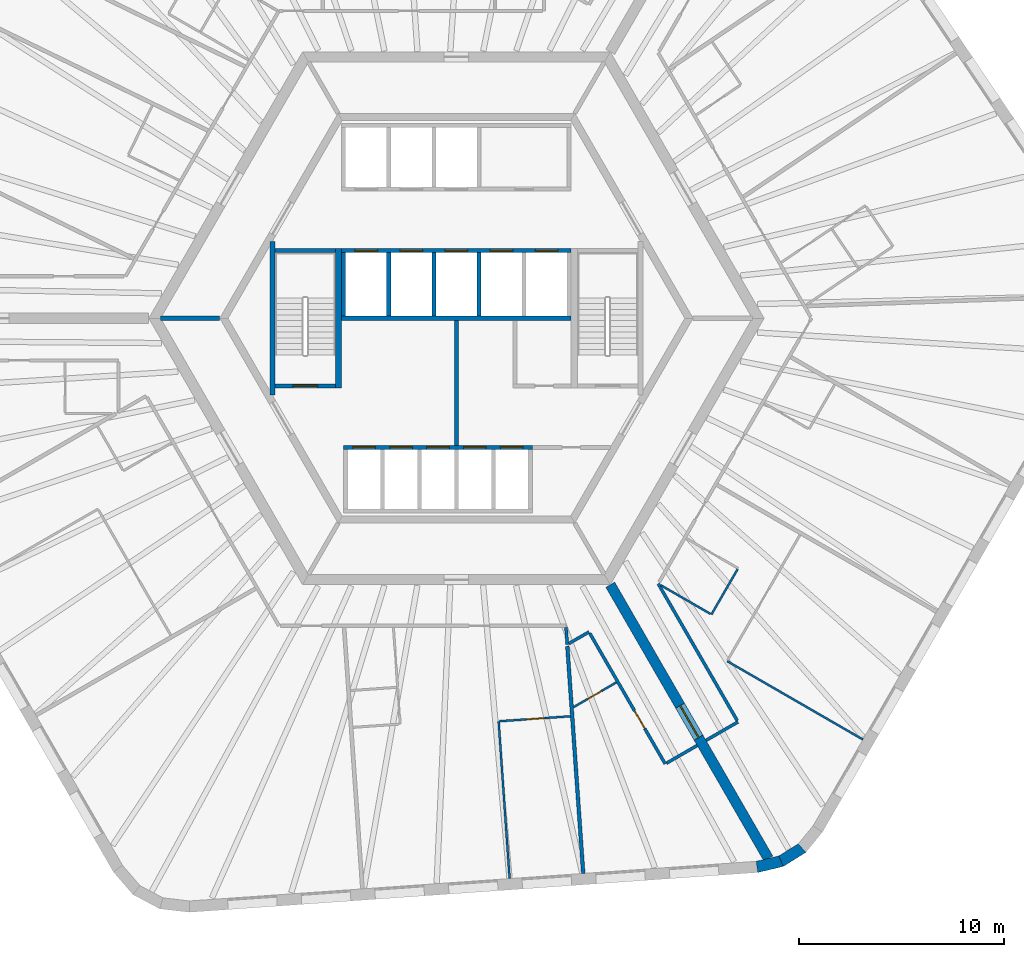
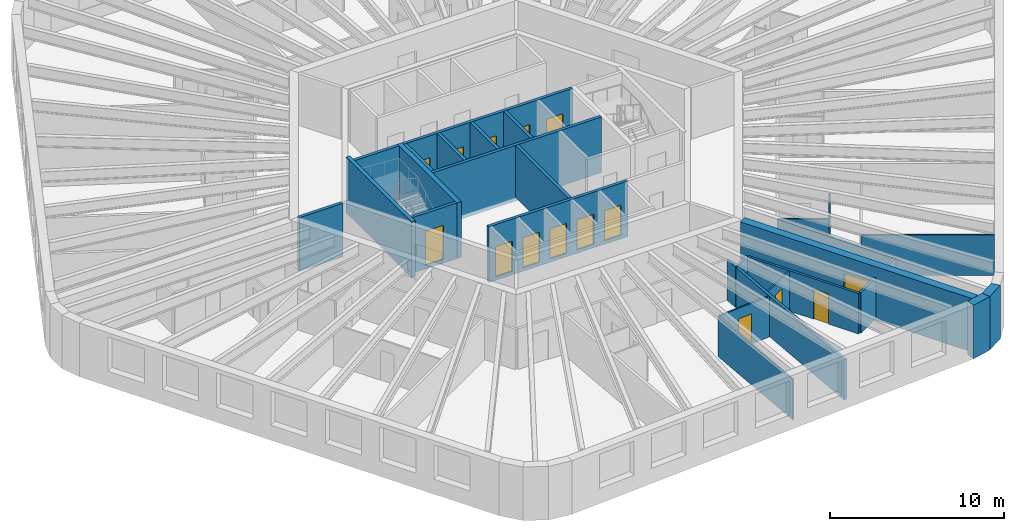
# One storey, part 4 of 10: 29 walls, 15 doors, 15 openings.
"""IFC4 building model written with IfcOpenShell, lengths in metres."""

from ifc_helpers import new_model, si_unit, direction, frame, frame_2d, origin, place, context, subcontext, project, spatial, polyline, rectangle, outline, extrude, material, layer, layer_set, type_object, element, fill, save


model = new_model("IFC4")

# Units and contexts
model_context = context("Model", 3, precision=1e-05, world=origin(), true_north=direction((0.0, 1.0)))
body_context = subcontext(model_context, "Body", "Model", "MODEL_VIEW")
ifc_project = project(units=[si_unit("LENGTHUNIT", "METRE"), si_unit("AREAUNIT", "SQUARE_METRE"), si_unit("VOLUMEUNIT", "CUBIC_METRE"), si_unit("PLANEANGLEUNIT", "RADIAN"), si_unit("MASSUNIT", "GRAM", prefix="KILO")], contexts=[model_context])

# Site, building, storey
site_placement = place(None, origin())
site = spatial("IfcSite", under=ifc_project, at=site_placement, CompositionType="ELEMENT")
building_placement = place(site_placement, origin())
building = spatial("IfcBuilding", under=site, at=building_placement, Name="Tarnside Tower", CompositionType="ELEMENT")
storey_placement = place(building_placement, frame((0.0, 0.0, 246.300048828125)))
storey = spatial("IfcBuildingStorey", under=building, at=storey_placement, Name="L59", CompositionType="ELEMENT", Elevation=246.300048828125)

# Wall, opening, door
ifc_material_1 = material(Name="Gypsum board partition on steel studs", Category="steel")
ifc_layer_1 = layer(ifc_material_1, 0.10009765625)
ifc_layer_set_1 = layer_set([ifc_layer_1], Name="Bathroom wall 100")
wall_type_1 = type_object("IfcWallType", Name="Bathroom wall 100", PredefinedType="PARTITIONING", material=ifc_layer_set_1)
wall_1_placement = place(storey_placement, frame((7.80322265625, -17.765380859375, 0.0), z_axis=(0.0, 0.0, 1.0), x_axis=(-0.865997239347, -0.500048779063, 0.0)))
wall_1 = element("IfcWall", 1, at=wall_1_placement, inside=storey, type_object=wall_type_1, Name="Bathroom wall 19097", PredefinedType="PARTITIONING", context=body_context, shape_type="SweptSolid", body=[
    extrude(rectangle(XDim=2.417724609375, YDim=0.10009765625, at=frame_2d((1.208984375, 0.0))), origin(), (0.0, 0.0, 1.0), 2.837646484375),
])
opening_1_placement = place(wall_1_placement, frame((0.824951171875, 0.0, 0.0)))
opening_1 = element("IfcOpeningElement", 2, at=opening_1_placement, cuts=wall_1, Name="Opening D-B1", PredefinedType="OPENING", context=body_context, shape_type="SweptSolid", body=[
    extrude(rectangle(XDim=0.800048828125, YDim=2.10009765625, at=frame_2d((0.39990234375, 1.050048828125))), frame((0.0, 0.06005859375, 0.0), z_axis=(0.0, -1.0, 0.0), x_axis=(1.0, 0.0, 0.0)), (0.0, 0.0, 1.0), 0.1201171875),
])
ifc_material_2 = material(Name="Timber door leaf", Category="wood")
door_type_1 = type_object("IfcDoorType", Name="Bathroom door 800", OperationType="NOTDEFINED", PredefinedType="DOOR", material=ifc_material_2)
door_1_placement = place(opening_1_placement, origin())
door_1 = element("IfcDoor", 3, at=door_1_placement, inside=storey, type_object=door_type_1, Name="Bathroom door 19025", OperationType="SINGLE_SWING_LEFT", OverallHeight=2.10009765625, OverallWidth=0.800048828125, PredefinedType="DOOR", context=body_context, shape_type="SweptSolid", body=[
    extrude(rectangle(XDim=0.800048828125, YDim=2.10009765625, at=frame_2d((0.39990234375, 1.050048828125))), frame((0.0, 0.02490234375, 0.0), z_axis=(0.0, -1.0, 0.0), x_axis=(1.0, 0.0, 0.0)), (0.0, 0.0, 1.0), 0.050048828125),
])
fill(opening_1, door_1)

# Walls
wall_2_placement = place(storey_placement, frame((13.716796875, -12.24169921875, 0.0), z_axis=(0.0, 0.0, 1.0), x_axis=(-0.499990435942, -0.866030925526, 0.0)))
element("IfcWall", 4, at=wall_2_placement, inside=storey, type_object=wall_type_1, Name="Bathroom wall 19099", PredefinedType="PARTITIONING", context=body_context, shape_type="SweptSolid", body=[
    extrude(rectangle(XDim=2.5498046875, YDim=0.10009765625, at=frame_2d((1.27490234375, 0.0))), origin(), (0.0, 0.0, 1.0), 2.837646484375),
])
wall_3_placement = place(storey_placement, frame((12.398681640625, -14.425048828125, 0.0), z_axis=(0.0, 0.0, 1.0), x_axis=(-0.866018616679, 0.500011755427, 0.0)))
element("IfcWall", 5, at=wall_3_placement, inside=storey, type_object=wall_type_1, Name="Bathroom wall 19100", PredefinedType="PARTITIONING", context=body_context, shape_type="SweptSolid", body=[
    extrude(rectangle(XDim=2.80029296875, YDim=0.10009765625, at=frame_2d((1.400146484375, 0.0))), origin(), (0.0, 0.0, 1.0), 2.837646484375),
])
ifc_material_3 = material(Name="Concrete C40/50", Category="concrete")
ifc_layer_2 = layer(ifc_material_3, 0.199951171875)
ifc_layer_set_2 = layer_set([ifc_layer_2], Name="Core room partition 200 C40/50")
wall_type_2 = type_object("IfcWallType", Name="Core room partition 200 C40/50", PredefinedType="PARTITIONING", material=ifc_layer_set_2)
wall_4_placement = place(storey_placement, frame((0.0, -6.199951171875, 0.0), z_axis=(0.0, 0.0, 1.0), x_axis=(0.0, 1.0, 0.0)))
element("IfcWall", 6, at=wall_4_placement, inside=storey, type_object=wall_type_2, Name="L59 core partition X0", PredefinedType="PARTITIONING", context=body_context, shape_type="SweptSolid", body=[
    extrude(rectangle(XDim=6.099853515625, YDim=0.199951171875, at=frame_2d((3.0498046875, 0.0))), origin(), (0.0, 0.0, 1.0), 3.64990234375),
])

# Wall, opening, door
ifc_material_4 = material(Name="Concrete C70/85", Category="concrete")
ifc_layer_3 = layer(ifc_material_4, 0.5)
ifc_layer_set_3 = layer_set([ifc_layer_3], Name="Core wall Z2 500 C70/85")
wall_type_3 = type_object("IfcWallType", Name="Core wall Z2 500 C70/85", PredefinedType="SHEAR", material=ifc_layer_set_3)
wall_5_placement = place(storey_placement, frame((7.505615234375, -13.0, -0.150146484375), z_axis=(0.0, 0.0, 1.0), x_axis=(0.499988271576, -0.866032175087, 0.0)))
wall_5 = element("IfcWall", 7, at=wall_5_placement, inside=storey, type_object=wall_type_3, Name="L59 spine wall 3", PredefinedType="SHEAR", context=body_context, shape_type="SweptSolid", body=[
    extrude(rectangle(XDim=15.423583984375, YDim=0.5, at=frame_2d((7.7119140625, 0.0))), origin(), (0.0, 0.0, 1.0), 3.75),
])
opening_2_placement = place(wall_5_placement, frame((6.811767578125, 0.0, 0.14990234375)))
opening_2 = element("IfcOpeningElement", 8, at=opening_2_placement, cuts=wall_5, Name="Opening CD-SPN", PredefinedType="OPENING", context=body_context, shape_type="SweptSolid", body=[
    extrude(rectangle(XDim=1.800048828125, YDim=2.39990234375, at=frame_2d((0.89990234375, 1.199951171875))), frame((0.0, 0.260009765625, 0.0), z_axis=(0.0, -1.0, 0.0), x_axis=(1.0, 0.0, 0.0)), (0.0, 0.0, 1.0), 0.52001953125),
])
ifc_material_5 = material(Name="Steel fire door", Category="steel")
door_type_2 = type_object("IfcDoorType", Name="Spine passage double door FD60 1800x2400", OperationType="NOTDEFINED", PredefinedType="DOOR", material=ifc_material_5)
door_2_placement = place(opening_2_placement, origin())
door_2 = element("IfcDoor", 9, at=door_2_placement, inside=storey, type_object=door_type_2, Name="L59 spine passage door 3", OperationType="DOUBLE_DOOR_SINGLE_SWING", OverallHeight=2.39990234375, OverallWidth=1.800048828125, PredefinedType="DOOR", context=body_context, shape_type="SweptSolid", body=[
    extrude(rectangle(XDim=1.800048828125, YDim=2.39990234375, at=frame_2d((0.89990234375, 1.199951171875))), frame((0.0, 0.02490234375, 0.0), z_axis=(0.0, -1.0, 0.0), x_axis=(1.0, 0.0, 0.0)), (0.0, 0.0, 1.0), 0.050048828125),
])
fill(opening_2, door_2)

# Wall
ifc_layer_4 = layer(ifc_material_1, 0.14990234375)
ifc_layer_set_4 = layer_set([ifc_layer_4], Name="Corridor wall 150 EI 60")
wall_type_4 = type_object("IfcWallType", Name="Corridor wall 150 EI 60", PredefinedType="PARTITIONING", material=ifc_layer_set_4)
wall_6_placement = place(storey_placement, frame((5.3466796875, -15.074951171875, 0.0), z_axis=(0.0, 0.0, 1.0), x_axis=(0.069731635013, -0.997565786842, 0.0)))
element("IfcWall", 10, at=wall_6_placement, inside=storey, type_object=wall_type_4, Name="Corridor wall 19028", PredefinedType="PARTITIONING", context=body_context, shape_type="SweptSolid", body=[
    extrude(rectangle(XDim=0.84716796875, YDim=0.14990234375, at=frame_2d((0.423583984375, 0.0))), origin(), (0.0, 0.0, 1.0), 2.837646484375),
])

# Wall, opening, door
wall_7_placement = place(storey_placement, frame((6.505615234375, -15.3681640625, 0.0), z_axis=(0.0, 0.0, 1.0), x_axis=(0.499995202058, -0.86602817386, 0.0)))
wall_7 = element("IfcWall", 11, at=wall_7_placement, inside=storey, type_object=wall_type_4, Name="Corridor wall 19030", PredefinedType="PARTITIONING", context=body_context, shape_type="SweptSolid", body=[
    extrude(rectangle(XDim=7.36083984375, YDim=0.14990234375, at=frame_2d((3.680419921875, 0.0))), origin(), (0.0, 0.0, 1.0), 2.837646484375),
])
opening_3_placement = place(wall_7_placement, frame((4.367919921875, 0.0, 0.0)))
opening_3 = element("IfcOpeningElement", 12, at=opening_3_placement, cuts=wall_7, Name="Opening D-E1", PredefinedType="OPENING", context=body_context, shape_type="SweptSolid", body=[
    extrude(rectangle(XDim=1.0, YDim=2.10009765625, at=frame_2d((0.5, 1.050048828125))), frame((0.0, 0.0849609375, 0.0), z_axis=(0.0, -1.0, 0.0), x_axis=(1.0, 0.0, 0.0)), (0.0, 0.0, 1.0), 0.169921875),
])
door_type_3 = type_object("IfcDoorType", Name="Unit entrance door 1000 FD30S", OperationType="NOTDEFINED", PredefinedType="DOOR", material=ifc_material_2)
door_3_placement = place(opening_3_placement, origin())
door_3 = element("IfcDoor", 13, at=door_3_placement, inside=storey, type_object=door_type_3, Name="Unit door 19024", OperationType="SINGLE_SWING_RIGHT", OverallHeight=2.10009765625, OverallWidth=1.0, PredefinedType="DOOR", context=body_context, shape_type="SweptSolid", body=[
    extrude(rectangle(XDim=1.0, YDim=2.10009765625, at=frame_2d((0.5, 1.050048828125))), frame((0.0, 0.02490234375, 0.0), z_axis=(0.0, -1.0, 0.0), x_axis=(1.0, 0.0, 0.0)), (0.0, 0.0, 1.0), 0.050048828125),
])
fill(opening_3, door_3)

# Walls
wall_8_placement = place(storey_placement, frame((10.2509765625, -21.705322265625, 0.0), z_axis=(0.0, 0.0, 1.0), x_axis=(0.866013532718, 0.500020560727, 0.0)))
element("IfcWall", 14, at=wall_8_placement, inside=storey, type_object=wall_type_4, Name="Corridor wall 19031", PredefinedType="PARTITIONING", context=body_context, shape_type="SweptSolid", body=[
    extrude(rectangle(XDim=1.72509765625, YDim=0.14990234375, at=frame_2d((0.862548828125, 0.0))), origin(), (0.0, 0.0, 1.0), 2.837646484375),
])
wall_9_placement = place(storey_placement, frame((5.477783203125, -15.875, 0.0), z_axis=(0.0, 0.0, 1.0), x_axis=(0.866000689289, 0.500042804318, 0.0)))
element("IfcWall", 15, at=wall_9_placement, inside=storey, type_object=wall_type_4, Name="Corridor wall 19032", PredefinedType="PARTITIONING", context=body_context, shape_type="SweptSolid", body=[
    extrude(rectangle(XDim=1.1435546875, YDim=0.14990234375, at=frame_2d((0.57177734375, 0.0))), origin(), (0.0, 0.0, 1.0), 2.837646484375),
])
wall_10_placement = place(storey_placement, frame((12.177978515625, -20.5927734375, 0.0), z_axis=(0.0, 0.0, 1.0), x_axis=(0.866047807691, 0.499961193289, 0.0)))
element("IfcWall", 16, at=wall_10_placement, inside=storey, type_object=wall_type_4, Name="Corridor wall 19034", PredefinedType="PARTITIONING", context=body_context, shape_type="SweptSolid", body=[
    extrude(rectangle(XDim=1.800048828125, YDim=0.14990234375, at=frame_2d((0.89990234375, 0.0))), origin(), (0.0, 0.0, 1.0), 2.837646484375),
])
wall_11_placement = place(storey_placement, frame((13.69921875, -19.6279296875, 0.0), z_axis=(0.0, 0.0, 1.0), x_axis=(-0.499993780622, 0.866028994514, 0.0)))
element("IfcWall", 17, at=wall_11_placement, inside=storey, type_object=wall_type_4, Name="Corridor wall 19035", PredefinedType="PARTITIONING", context=body_context, shape_type="SweptSolid", body=[
    extrude(rectangle(XDim=7.7109375, YDim=0.14990234375, at=frame_2d((3.85546875, 0.0))), origin(), (0.0, 0.0, 1.0), 2.837646484375),
])
ifc_layer_5 = layer(ifc_material_1, 0.179931640625)
ifc_layer_set_5 = layer_set([ifc_layer_5], Name="Demising wall 180 EI 60")
wall_type_5 = type_object("IfcWallType", Name="Demising wall 180 EI 60", PredefinedType="PARTITIONING", material=ifc_layer_set_5)
wall_12_placement = place(storey_placement, frame((6.186279296875, -27.08447265625, 0.0), z_axis=(0.0, 0.0, 1.0), x_axis=(-0.069737079037, 0.99756540628, 0.0)))
element("IfcWall", 18, at=wall_12_placement, inside=storey, type_object=wall_type_5, Name="Demising wall 19093", PredefinedType="PARTITIONING", context=body_context, shape_type="SweptSolid", body=[
    extrude(rectangle(XDim=11.11181640625, YDim=0.179931640625, at=frame_2d((5.555908203125, 0.0))), origin(), (0.0, 0.0, 1.0), 2.837646484375),
])

# Wall, openings, doors
ifc_layer_6 = layer(ifc_material_3, 0.199951171875)
ifc_layer_set_6 = layer_set([ifc_layer_6], Name="Lift shaft wall 200 C40/50")
wall_type_6 = type_object("IfcWallType", Name="Lift shaft wall 200 C40/50", PredefinedType="SHEAR", material=ifc_layer_set_6)
wall_13_placement = place(storey_placement, frame((-5.60009765625, 3.300048828125, -0.25), z_axis=(0.0, 0.0, 1.0), x_axis=(1.0, 0.0, 0.0)))
wall_13 = element("IfcWall", 19, at=wall_13_placement, inside=storey, type_object=wall_type_6, Name="L59 lift shaft front wall R2", PredefinedType="SHEAR", context=body_context, shape_type="SweptSolid", body=[
    extrude(rectangle(XDim=11.2001953125, YDim=0.199951171875, at=frame_2d((5.60009765625, 0.0))), origin(), (0.0, 0.0, 1.0), 3.89990234375),
])
opening_4_placement = place(wall_13_placement, frame((0.64990234375, 0.0, 0.25)))
opening_4 = element("IfcOpeningElement", 20, at=opening_4_placement, cuts=wall_13, Name="Opening LD", PredefinedType="OPENING", context=body_context, shape_type="SweptSolid", body=[
    extrude(rectangle(XDim=1.10009765625, YDim=2.10009765625, at=frame_2d((0.550048828125, 1.050048828125))), frame((0.0, 0.10986328125, 0.0), z_axis=(0.0, -1.0, 0.0), x_axis=(1.0, 0.0, 0.0)), (0.0, 0.0, 1.0), 0.219970703125),
])
opening_5_placement = place(wall_13_placement, frame((2.85009765625, 0.0, 0.25)))
opening_5 = element("IfcOpeningElement", 21, at=opening_5_placement, cuts=wall_13, Name="Opening LD", PredefinedType="OPENING", context=body_context, shape_type="SweptSolid", body=[
    extrude(rectangle(XDim=1.10009765625, YDim=2.10009765625, at=frame_2d((0.550048828125, 1.050048828125))), frame((0.0, 0.10986328125, 0.0), z_axis=(0.0, -1.0, 0.0), x_axis=(1.0, 0.0, 0.0)), (0.0, 0.0, 1.0), 0.219970703125),
])
opening_6_placement = place(wall_13_placement, frame((5.050048828125, 0.0, 0.25)))
opening_6 = element("IfcOpeningElement", 22, at=opening_6_placement, cuts=wall_13, Name="Opening LD", PredefinedType="OPENING", context=body_context, shape_type="SweptSolid", body=[
    extrude(rectangle(XDim=1.10009765625, YDim=2.10009765625, at=frame_2d((0.550048828125, 1.050048828125))), frame((0.0, 0.10986328125, 0.0), z_axis=(0.0, -1.0, 0.0), x_axis=(1.0, 0.0, 0.0)), (0.0, 0.0, 1.0), 0.219970703125),
])
opening_7_placement = place(wall_13_placement, frame((7.25, 0.0, 0.25)))
opening_7 = element("IfcOpeningElement", 23, at=opening_7_placement, cuts=wall_13, Name="Opening LD", PredefinedType="OPENING", context=body_context, shape_type="SweptSolid", body=[
    extrude(rectangle(XDim=1.10009765625, YDim=2.10009765625, at=frame_2d((0.550048828125, 1.050048828125))), frame((0.0, 0.10986328125, 0.0), z_axis=(0.0, -1.0, 0.0), x_axis=(1.0, 0.0, 0.0)), (0.0, 0.0, 1.0), 0.219970703125),
])
opening_8_placement = place(wall_13_placement, frame((9.449951171875, 0.0, 0.25)))
opening_8 = element("IfcOpeningElement", 24, at=opening_8_placement, cuts=wall_13, Name="Opening LD", PredefinedType="OPENING", context=body_context, shape_type="SweptSolid", body=[
    extrude(rectangle(XDim=1.10009765625, YDim=2.10009765625, at=frame_2d((0.550048828125, 1.050048828125))), frame((0.0, 0.10986328125, 0.0), z_axis=(0.0, -1.0, 0.0), x_axis=(1.0, 0.0, 0.0)), (0.0, 0.0, 1.0), 0.219970703125),
])
ifc_material_6 = material(Name="Stainless steel", Category="steel")
door_type_4 = type_object("IfcDoorType", Name="Lift landing door 1100x2100", OperationType="NOTDEFINED", PredefinedType="DOOR", material=ifc_material_6)
door_4_placement = place(opening_4_placement, origin())
door_4 = element("IfcDoor", 25, at=door_4_placement, inside=storey, type_object=door_type_4, Name="Mid-rise lift 4 landing door L59", OperationType="SLIDING_TO_LEFT", OverallHeight=2.10009765625, OverallWidth=1.10009765625, PredefinedType="DOOR", context=body_context, shape_type="SweptSolid", body=[
    extrude(rectangle(XDim=1.10009765625, YDim=2.10009765625, at=frame_2d((0.550048828125, 1.050048828125))), frame((0.0, 0.02490234375, 0.0), z_axis=(0.0, -1.0, 0.0), x_axis=(1.0, 0.0, 0.0)), (0.0, 0.0, 1.0), 0.050048828125),
])
fill(opening_4, door_4)
door_5_placement = place(opening_5_placement, origin())
door_5 = element("IfcDoor", 26, at=door_5_placement, inside=storey, type_object=door_type_4, Name="Mid-rise lift 5 landing door L59", OperationType="SLIDING_TO_LEFT", OverallHeight=2.10009765625, OverallWidth=1.10009765625, PredefinedType="DOOR", context=body_context, shape_type="SweptSolid", body=[
    extrude(rectangle(XDim=1.10009765625, YDim=2.10009765625, at=frame_2d((0.550048828125, 1.050048828125))), frame((0.0, 0.02490234375, 0.0), z_axis=(0.0, -1.0, 0.0), x_axis=(1.0, 0.0, 0.0)), (0.0, 0.0, 1.0), 0.050048828125),
])
fill(opening_5, door_5)
door_6_placement = place(opening_6_placement, origin())
door_6 = element("IfcDoor", 27, at=door_6_placement, inside=storey, type_object=door_type_4, Name="Mid-rise lift 6 landing door L59", OperationType="SLIDING_TO_LEFT", OverallHeight=2.10009765625, OverallWidth=1.10009765625, PredefinedType="DOOR", context=body_context, shape_type="SweptSolid", body=[
    extrude(rectangle(XDim=1.10009765625, YDim=2.10009765625, at=frame_2d((0.550048828125, 1.050048828125))), frame((0.0, 0.02490234375, 0.0), z_axis=(0.0, -1.0, 0.0), x_axis=(1.0, 0.0, 0.0)), (0.0, 0.0, 1.0), 0.050048828125),
])
fill(opening_6, door_6)
door_7_placement = place(opening_7_placement, origin())
door_7 = element("IfcDoor", 28, at=door_7_placement, inside=storey, type_object=door_type_4, Name="High sky-lobby shuttle 1 landing door L59", OperationType="SLIDING_TO_LEFT", OverallHeight=2.10009765625, OverallWidth=1.10009765625, PredefinedType="DOOR", context=body_context, shape_type="SweptSolid", body=[
    extrude(rectangle(XDim=1.10009765625, YDim=2.10009765625, at=frame_2d((0.550048828125, 1.050048828125))), frame((0.0, 0.02490234375, 0.0), z_axis=(0.0, -1.0, 0.0), x_axis=(1.0, 0.0, 0.0)), (0.0, 0.0, 1.0), 0.050048828125),
])
fill(opening_7, door_7)
door_8_placement = place(opening_8_placement, origin())
door_8 = element("IfcDoor", 29, at=door_8_placement, inside=storey, type_object=door_type_4, Name="Express sky-lobby shuttle 2 landing door L59", OperationType="SLIDING_TO_LEFT", OverallHeight=2.10009765625, OverallWidth=1.10009765625, PredefinedType="DOOR", context=body_context, shape_type="SweptSolid", body=[
    extrude(rectangle(XDim=1.10009765625, YDim=2.10009765625, at=frame_2d((0.550048828125, 1.050048828125))), frame((0.0, 0.02490234375, 0.0), z_axis=(0.0, -1.0, 0.0), x_axis=(1.0, 0.0, 0.0)), (0.0, 0.0, 1.0), 0.050048828125),
])
fill(opening_8, door_8)

# Walls
wall_14_placement = place(storey_placement, frame((-5.60009765625, 0.0, -0.25), z_axis=(0.0, 0.0, 1.0), x_axis=(1.0, 0.0, 0.0)))
element("IfcWall", 30, at=wall_14_placement, inside=storey, type_object=wall_type_6, Name="L59 lift shaft back wall R2", PredefinedType="SHEAR", context=body_context, shape_type="SweptSolid", body=[
    extrude(rectangle(XDim=11.2001953125, YDim=0.199951171875, at=frame_2d((5.60009765625, 0.0))), origin(), (0.0, 0.0, 1.0), 3.89990234375),
])
for number, where, z_axis, x_axis, name in (
    (31, (-5.5, 0.10009765625, -0.25), (0.0, 0.0, 1.0), (0.0, 1.0, 0.0), "L59 lift shaft partition R21"),
    (32, (-3.300048828125, 0.10009765625, -0.25), (0.0, 0.0, 1.0), (0.0, 1.0, 0.0), "L59 lift shaft partition R22"),
    (33, (-1.10009765625, 0.10009765625, -0.25), (0.0, 0.0, 1.0), (0.0, 1.0, 0.0), "L59 lift shaft partition R23"),
    (34, (1.10009765625, 0.10009765625, -0.25), (0.0, 0.0, 1.0), (0.0, 1.0, 0.0), "L59 lift shaft partition R24"),
):
    element("IfcWall", number, at=place(storey_placement, frame(where, z_axis=z_axis, x_axis=x_axis)), inside=storey, type_object=wall_type_6, Name=name, PredefinedType="SHEAR", context=body_context, shape_type="SweptSolid", body=[
        extrude(rectangle(XDim=3.099853515625, YDim=0.199951171875, at=frame_2d((1.5498046875, 0.0))), origin(), (0.0, 0.0, 1.0), 3.89990234375),
    ])

# Wall, openings, doors
wall_15_placement = place(storey_placement, frame((-5.5, -6.300048828125, -0.25), z_axis=(0.0, 0.0, 1.0), x_axis=(1.0, 0.0, 0.0)))
wall_15 = element("IfcWall", 35, at=wall_15_placement, inside=storey, type_object=wall_type_6, Name="L59 lift shaft front wall R4", PredefinedType="SHEAR", context=body_context, shape_type="SweptSolid", body=[
    extrude(rectangle(XDim=9.199951171875, YDim=0.199951171875, at=frame_2d((4.60009765625, 0.0))), origin(), (0.0, 0.0, 1.0), 3.89990234375),
])
opening_9_placement = place(wall_15_placement, frame((0.449951171875, 0.0, 0.25)))
opening_9 = element("IfcOpeningElement", 36, at=opening_9_placement, cuts=wall_15, Name="Opening LDF", PredefinedType="OPENING", context=body_context, shape_type="SweptSolid", body=[
    extrude(rectangle(XDim=1.10009765625, YDim=2.10009765625, at=frame_2d((0.550048828125, 1.050048828125))), frame((0.0, 0.10986328125, 0.0), z_axis=(0.0, -1.0, 0.0), x_axis=(1.0, 0.0, 0.0)), (0.0, 0.0, 1.0), 0.219970703125),
])
opening_10_placement = place(wall_15_placement, frame((2.25, 0.0, 0.25)))
opening_10 = element("IfcOpeningElement", 37, at=opening_10_placement, cuts=wall_15, Name="Opening LDF", PredefinedType="OPENING", context=body_context, shape_type="SweptSolid", body=[
    extrude(rectangle(XDim=1.10009765625, YDim=2.10009765625, at=frame_2d((0.550048828125, 1.050048828125))), frame((0.0, 0.10986328125, 0.0), z_axis=(0.0, -1.0, 0.0), x_axis=(1.0, 0.0, 0.0)), (0.0, 0.0, 1.0), 0.219970703125),
])
opening_11_placement = place(wall_15_placement, frame((4.050048828125, 0.0, 0.25)))
opening_11 = element("IfcOpeningElement", 38, at=opening_11_placement, cuts=wall_15, Name="Opening LDF", PredefinedType="OPENING", context=body_context, shape_type="SweptSolid", body=[
    extrude(rectangle(XDim=1.10009765625, YDim=2.10009765625, at=frame_2d((0.550048828125, 1.050048828125))), frame((0.0, 0.10986328125, 0.0), z_axis=(0.0, -1.0, 0.0), x_axis=(1.0, 0.0, 0.0)), (0.0, 0.0, 1.0), 0.219970703125),
])
opening_12_placement = place(wall_15_placement, frame((5.85009765625, 0.0, 0.25)))
opening_12 = element("IfcOpeningElement", 39, at=opening_12_placement, cuts=wall_15, Name="Opening LDF", PredefinedType="OPENING", context=body_context, shape_type="SweptSolid", body=[
    extrude(rectangle(XDim=1.10009765625, YDim=2.10009765625, at=frame_2d((0.550048828125, 1.050048828125))), frame((0.0, 0.10986328125, 0.0), z_axis=(0.0, -1.0, 0.0), x_axis=(1.0, 0.0, 0.0)), (0.0, 0.0, 1.0), 0.219970703125),
])
opening_13_placement = place(wall_15_placement, frame((7.64990234375, 0.0, 0.25)))
opening_13 = element("IfcOpeningElement", 40, at=opening_13_placement, cuts=wall_15, Name="Opening LDF", PredefinedType="OPENING", context=body_context, shape_type="SweptSolid", body=[
    extrude(rectangle(XDim=1.10009765625, YDim=2.10009765625, at=frame_2d((0.550048828125, 1.050048828125))), frame((0.0, 0.10986328125, 0.0), z_axis=(0.0, -1.0, 0.0), x_axis=(1.0, 0.0, 0.0)), (0.0, 0.0, 1.0), 0.219970703125),
])
door_type_5 = type_object("IfcDoorType", Name="Lift landing door 1100x2100 EI 120", OperationType="NOTDEFINED", PredefinedType="DOOR", material=ifc_material_6)
door_9_placement = place(opening_9_placement, origin())
door_9 = element("IfcDoor", 41, at=door_9_placement, inside=storey, type_object=door_type_5, Name="Firefighting lift 1 landing door L59", OperationType="SLIDING_TO_LEFT", OverallHeight=2.10009765625, OverallWidth=1.10009765625, PredefinedType="DOOR", context=body_context, shape_type="SweptSolid", body=[
    extrude(rectangle(XDim=1.10009765625, YDim=2.10009765625, at=frame_2d((0.550048828125, 1.050048828125))), frame((0.0, 0.02490234375, 0.0), z_axis=(0.0, -1.0, 0.0), x_axis=(1.0, 0.0, 0.0)), (0.0, 0.0, 1.0), 0.050048828125),
])
fill(opening_9, door_9)
door_10_placement = place(opening_10_placement, origin())
door_10 = element("IfcDoor", 42, at=door_10_placement, inside=storey, type_object=door_type_5, Name="Firefighting lift 2 landing door L59", OperationType="SLIDING_TO_LEFT", OverallHeight=2.10009765625, OverallWidth=1.10009765625, PredefinedType="DOOR", context=body_context, shape_type="SweptSolid", body=[
    extrude(rectangle(XDim=1.10009765625, YDim=2.10009765625, at=frame_2d((0.550048828125, 1.050048828125))), frame((0.0, 0.02490234375, 0.0), z_axis=(0.0, -1.0, 0.0), x_axis=(1.0, 0.0, 0.0)), (0.0, 0.0, 1.0), 0.050048828125),
])
fill(opening_10, door_10)
door_11_placement = place(opening_11_placement, origin())
door_11 = element("IfcDoor", 43, at=door_11_placement, inside=storey, type_object=door_type_5, Name="Firefighting lift 3 landing door L59", OperationType="SLIDING_TO_LEFT", OverallHeight=2.10009765625, OverallWidth=1.10009765625, PredefinedType="DOOR", context=body_context, shape_type="SweptSolid", body=[
    extrude(rectangle(XDim=1.10009765625, YDim=2.10009765625, at=frame_2d((0.550048828125, 1.050048828125))), frame((0.0, 0.02490234375, 0.0), z_axis=(0.0, -1.0, 0.0), x_axis=(1.0, 0.0, 0.0)), (0.0, 0.0, 1.0), 0.050048828125),
])
fill(opening_11, door_11)
door_12_placement = place(opening_12_placement, origin())
door_12 = element("IfcDoor", 44, at=door_12_placement, inside=storey, type_object=door_type_5, Name="Firefighting lift 4 landing door L59", OperationType="SLIDING_TO_LEFT", OverallHeight=2.10009765625, OverallWidth=1.10009765625, PredefinedType="DOOR", context=body_context, shape_type="SweptSolid", body=[
    extrude(rectangle(XDim=1.10009765625, YDim=2.10009765625, at=frame_2d((0.550048828125, 1.050048828125))), frame((0.0, 0.02490234375, 0.0), z_axis=(0.0, -1.0, 0.0), x_axis=(1.0, 0.0, 0.0)), (0.0, 0.0, 1.0), 0.050048828125),
])
fill(opening_12, door_12)
door_13_placement = place(opening_13_placement, origin())
door_13 = element("IfcDoor", 45, at=door_13_placement, inside=storey, type_object=door_type_5, Name="Firefighting lift 5 landing door L59", OperationType="SLIDING_TO_LEFT", OverallHeight=2.10009765625, OverallWidth=1.10009765625, PredefinedType="DOOR", context=body_context, shape_type="SweptSolid", body=[
    extrude(rectangle(XDim=1.10009765625, YDim=2.10009765625, at=frame_2d((0.550048828125, 1.050048828125))), frame((0.0, 0.02490234375, 0.0), z_axis=(0.0, -1.0, 0.0), x_axis=(1.0, 0.0, 0.0)), (0.0, 0.0, 1.0), 0.050048828125),
])
fill(opening_13, door_13)

# Walls
wall_16_placement = place(storey_placement, frame((-11.547119140625, 0.0, -0.150146484375), z_axis=(0.0, 0.0, 1.0), x_axis=(-1.0, 0.0, 0.0)))
element("IfcWall", 46, at=wall_16_placement, inside=storey, type_object=wall_type_6, Name="L59 core partition AR180", PredefinedType="SHEAR", context=body_context, shape_type="SweptSolid", body=[
    extrude(rectangle(XDim=2.88671875, YDim=0.199951171875, at=frame_2d((1.443359375, 0.0))), origin(), (0.0, 0.0, 1.0), 3.75),
])
wall_17_placement = place(storey_placement, frame((-8.85009765625, 3.300048828125, -0.25), z_axis=(0.0, 0.0, 1.0), x_axis=(1.0, 0.0, 0.0)))
element("IfcWall", 47, at=wall_17_placement, inside=storey, type_object=wall_type_6, Name="L59 stair 2 enclosure cap wall n", PredefinedType="SHEAR", context=body_context, shape_type="SweptSolid", body=[
    extrude(rectangle(XDim=2.9501953125, YDim=0.199951171875, at=frame_2d((1.47509765625, 0.0))), origin(), (0.0, 0.0, 1.0), 3.89990234375),
])

# Wall, opening, door
wall_18_placement = place(storey_placement, frame((-8.85009765625, -3.300048828125, -0.25), z_axis=(0.0, 0.0, 1.0), x_axis=(1.0, 0.0, 0.0)))
wall_18 = element("IfcWall", 48, at=wall_18_placement, inside=storey, type_object=wall_type_6, Name="L59 stair 2 enclosure cap wall s", PredefinedType="SHEAR", context=body_context, shape_type="SweptSolid", body=[
    extrude(rectangle(XDim=2.9501953125, YDim=0.199951171875, at=frame_2d((1.47509765625, 0.0))), origin(), (0.0, 0.0, 1.0), 3.89990234375),
])
opening_14_placement = place(wall_18_placement, frame((0.875, 0.0, 0.25)))
opening_14 = element("IfcOpeningElement", 49, at=opening_14_placement, cuts=wall_18, Name="Opening CD-STR", PredefinedType="OPENING", context=body_context, shape_type="SweptSolid", body=[
    extrude(rectangle(XDim=1.199951171875, YDim=2.39990234375, at=frame_2d((0.60009765625, 1.199951171875))), frame((0.0, 0.10986328125, 0.0), z_axis=(0.0, -1.0, 0.0), x_axis=(1.0, 0.0, 0.0)), (0.0, 0.0, 1.0), 0.219970703125),
])
door_type_6 = type_object("IfcDoorType", Name="Stair door FD60S 1200x2400", OperationType="NOTDEFINED", PredefinedType="DOOR", material=ifc_material_5)
door_14_placement = place(opening_14_placement, origin())
door_14 = element("IfcDoor", 50, at=door_14_placement, inside=storey, type_object=door_type_6, Name="L59 stair 2 door", OperationType="SINGLE_SWING_LEFT", OverallHeight=2.39990234375, OverallWidth=1.199951171875, PredefinedType="DOOR", context=body_context, shape_type="SweptSolid", body=[
    extrude(rectangle(XDim=1.199951171875, YDim=2.39990234375, at=frame_2d((0.60009765625, 1.199951171875))), frame((0.0, 0.02490234375, 0.0), z_axis=(0.0, -1.0, 0.0), x_axis=(1.0, 0.0, 0.0)), (0.0, 0.0, 1.0), 0.050048828125),
])
fill(opening_14, door_14)

# Wall
ifc_layer_7 = layer(ifc_material_1, 0.10009765625)
ifc_layer_set_7 = layer_set([ifc_layer_7], Name="Partition 100")
wall_type_7 = type_object("IfcWallType", Name="Partition 100", PredefinedType="PARTITIONING", material=ifc_layer_set_7)
wall_19_placement = place(storey_placement, frame((2.59521484375, -27.33544921875, 0.0), z_axis=(0.0, 0.0, 1.0), x_axis=(-0.069769427287, 0.997563144375, 0.0)))
element("IfcWall", 51, at=wall_19_placement, inside=storey, type_object=wall_type_7, Name="Partition wall 19091", PredefinedType="PARTITIONING", context=body_context, shape_type="SweptSolid", body=[
    extrude(rectangle(XDim=7.69140625, YDim=0.10009765625, at=frame_2d((3.845703125, 0.0))), origin(), (0.0, 0.0, 1.0), 2.837646484375),
])

# Wall, opening, door
wall_20_placement = place(storey_placement, frame((2.108642578125, -19.6591796875, 0.0), z_axis=(0.0, 0.0, 1.0), x_axis=(0.997566776398, 0.069717477193, 0.0)))
wall_20 = element("IfcWall", 52, at=wall_20_placement, inside=storey, type_object=wall_type_7, Name="Partition wall 19092", PredefinedType="PARTITIONING", context=body_context, shape_type="SweptSolid", body=[
    extrude(rectangle(XDim=3.459716796875, YDim=0.10009765625, at=frame_2d((1.72998046875, 0.0))), origin(), (0.0, 0.0, 1.0), 2.837646484375),
])
opening_15_placement = place(wall_20_placement, frame((1.300048828125, 0.0, 0.0)))
opening_15 = element("IfcOpeningElement", 53, at=opening_15_placement, cuts=wall_20, Name="Opening D-I1", PredefinedType="OPENING", context=body_context, shape_type="SweptSolid", body=[
    extrude(rectangle(XDim=0.89990234375, YDim=2.10009765625, at=frame_2d((0.449951171875, 1.050048828125))), frame((0.0, 0.06005859375, 0.0), z_axis=(0.0, -1.0, 0.0), x_axis=(1.0, 0.0, 0.0)), (0.0, 0.0, 1.0), 0.1201171875),
])
door_type_7 = type_object("IfcDoorType", Name="Internal door 900", OperationType="NOTDEFINED", PredefinedType="DOOR", material=ifc_material_2)
door_15_placement = place(opening_15_placement, origin())
door_15 = element("IfcDoor", 54, at=door_15_placement, inside=storey, type_object=door_type_7, Name="Internal door 19023", OperationType="SINGLE_SWING_LEFT", OverallHeight=2.10009765625, OverallWidth=0.89990234375, PredefinedType="DOOR", context=body_context, shape_type="SweptSolid", body=[
    extrude(rectangle(XDim=0.89990234375, YDim=2.10009765625, at=frame_2d((0.449951171875, 1.050048828125))), frame((0.0, 0.02490234375, 0.0), z_axis=(0.0, -1.0, 0.0), x_axis=(1.0, 0.0, 0.0)), (0.0, 0.0, 1.0), 0.050048828125),
])
fill(opening_15, door_15)

# Walls
wall_21_placement = place(storey_placement, frame((19.831298828125, -20.551025390625, 0.0), z_axis=(0.0, 0.0, 1.0), x_axis=(-0.866025084624, 0.500000552801, 0.0)))
element("IfcWall", 55, at=wall_21_placement, inside=storey, type_object=wall_type_7, Name="Partition wall 19101", PredefinedType="PARTITIONING", context=body_context, shape_type="SweptSolid", body=[
    extrude(rectangle(XDim=7.64990234375, YDim=0.10009765625, at=frame_2d((3.824951171875, 0.0))), origin(), (0.0, 0.0, 1.0), 2.837646484375),
])
ifc_layer_8 = layer(ifc_material_3, 0.25)
ifc_layer_set_8 = layer_set([ifc_layer_8], Name="Stair enclosure wall 250 C40/50")
wall_type_8 = type_object("IfcWallType", Name="Stair enclosure wall 250 C40/50", PredefinedType="SHEAR", material=ifc_layer_set_8)
wall_22_placement = place(storey_placement, frame((-8.97509765625, -3.7548828125, -0.25), z_axis=(0.0, 0.0, 1.0), x_axis=(0.0, 1.0, 0.0)))
element("IfcWall", 56, at=wall_22_placement, inside=storey, type_object=wall_type_8, Name="L59 stair 2 enclosure wall outer", PredefinedType="SHEAR", context=body_context, shape_type="SweptSolid", body=[
    extrude(rectangle(XDim=7.509765625, YDim=0.25, at=frame_2d((3.7548828125, 0.0))), origin(), (0.0, 0.0, 1.0), 3.89990234375),
])
ifc_layer_9 = layer(ifc_material_3, 0.300048828125)
ifc_layer_set_9 = layer_set([ifc_layer_9], Name="Stair enclosure wall 300 C40/50")
wall_type_9 = type_object("IfcWallType", Name="Stair enclosure wall 300 C40/50", PredefinedType="SHEAR", material=ifc_layer_set_9)
wall_23_placement = place(storey_placement, frame((-5.75, -3.39990234375, -0.25), z_axis=(0.0, 0.0, 1.0), x_axis=(0.0, 1.0, 0.0)))
element("IfcWall", 57, at=wall_23_placement, inside=storey, type_object=wall_type_9, Name="L59 stair 2 enclosure wall inner", PredefinedType="SHEAR", context=body_context, shape_type="SweptSolid", body=[
    extrude(rectangle(XDim=6.7998046875, YDim=0.300048828125, at=frame_2d((3.39990234375, 0.0))), origin(), (0.0, 0.0, 1.0), 3.89990234375),
])
ifc_material_7 = material(Name="Facing brick", Category="masonry")
ifc_layer_10 = layer(ifc_material_7, 0.10205078125)
ifc_material_8 = material(Name="Concrete C60/75 precast", Category="concrete")
ifc_layer_11 = layer(ifc_material_8, 0.347900390625)
ifc_material_9 = material(Name="Mineral wool insulation")
ifc_layer_12 = layer(ifc_material_9, 0.10009765625)
ifc_layer_set_10 = layer_set([ifc_layer_10, ifc_layer_11, ifc_layer_12], Name="Tube wall 550 brick faced")
wall_type_10 = type_object("IfcWallType", Name="Tube wall 550 brick faced", PredefinedType="SOLIDWALL", material=ifc_layer_set_10)
wall_24_placement = place(storey_placement, frame((14.663818359375, -26.767333984375, -0.150146484375), z_axis=(0.0, 0.0, 1.0), x_axis=(0.973063591128, 0.230536868247, 0.0)))
element("IfcWall", 58, at=wall_24_placement, inside=storey, type_object=wall_type_10, Name="Tube wall L59 F4 chord 13", PredefinedType="SOLIDWALL", context=body_context, shape_type="SweptSolid", body=[
    extrude(outline(polyline([(-0.0224609375, -0.27490234375), (1.25341796875, -0.27490234375), (1.1630859375, 0.27490234375), (0.0224609375, 0.27490234375), (-0.0224609375, -0.27490234375)])), origin(), (0.0, 0.0, 1.0), 3.75),
])
wall_25_placement = place(storey_placement, frame((15.839599609375, -26.48876953125, -0.150146484375), z_axis=(0.0, 0.0, 1.0), x_axis=(0.848009655012, 0.52998077796, 0.0)))
element("IfcWall", 59, at=wall_25_placement, inside=storey, type_object=wall_type_10, Name="Tube wall L59 F4 chord 14", PredefinedType="SOLIDWALL", context=body_context, shape_type="SweptSolid", body=[
    extrude(outline(polyline([(-0.045166015625, -0.27490234375), (1.25341796875, -0.27490234375), (1.1630859375, 0.27490234375), (0.045166015625, 0.27490234375), (-0.045166015625, -0.27490234375)])), origin(), (0.0, 0.0, 1.0), 3.75),
])

save(model, "model.ifc")
